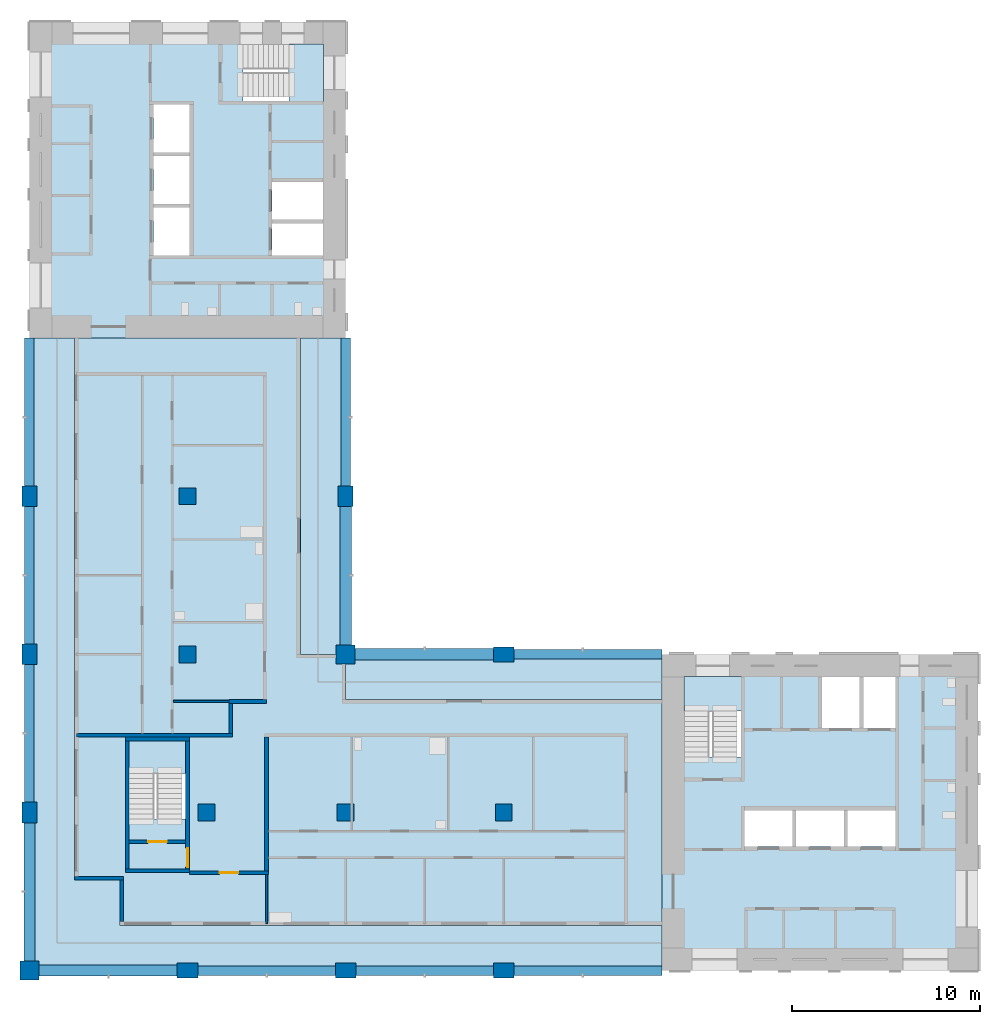
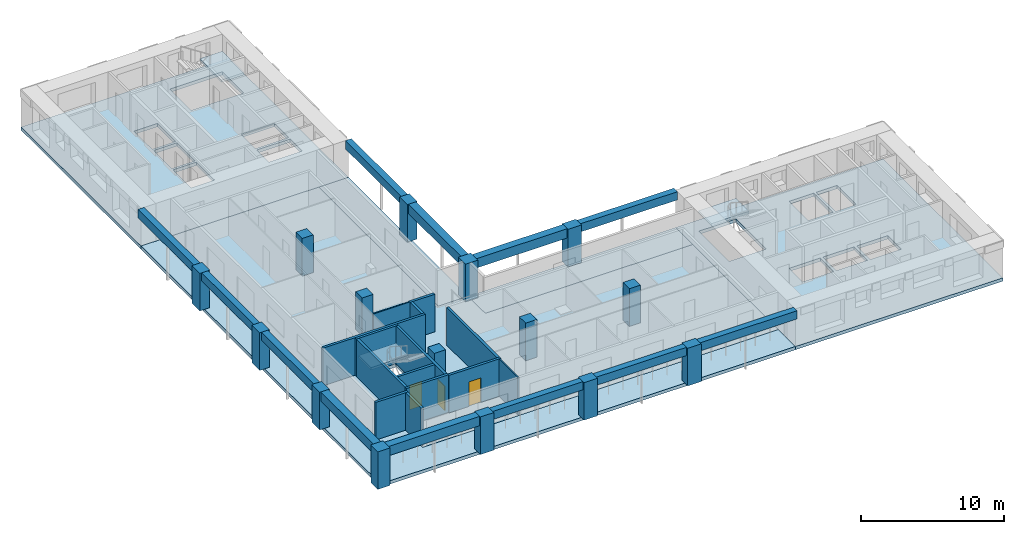
# One storey, part 1 of 9: 15 columns, 14 walls, 12 beams, 10 slabs, 3 doors, 3 openings, 3 elements without a shape of their own.
"""IFC4 building model written with IfcOpenShell, lengths in metres."""

from ifc_helpers import new_model, si_unit, direction, frame, frame_2d, origin, origin_2d, place, context, subcontext, project, spatial, polyline, rectangle, outline, extrude, material, layer, layer_set, material_profile, profile_set, type_object, element, fill, aggregate, save


model = new_model("IFC4")

# Units and contexts
model_context = context("Model", 3, precision=1e-05, world=origin(), true_north=direction((0.0, 1.0)))
body_context = subcontext(model_context, "Body", "Model", "MODEL_VIEW")
ifc_project = project(units=[si_unit("LENGTHUNIT", "METRE"), si_unit("AREAUNIT", "SQUARE_METRE"), si_unit("VOLUMEUNIT", "CUBIC_METRE"), si_unit("PLANEANGLEUNIT", "RADIAN"), si_unit("MASSUNIT", "GRAM", prefix="KILO")], contexts=[model_context])

# Site, building, storey
site_placement = place(None, origin())
site = spatial("IfcSite", under=ifc_project, at=site_placement, CompositionType="ELEMENT")
building_placement = place(site_placement, origin())
building = spatial("IfcBuilding", under=site, at=building_placement, Name="Vermilion Gate Residences", CompositionType="ELEMENT")
storey_placement = place(building_placement, frame((0.0, 0.0, 224.699951171875)))
storey = spatial("IfcBuildingStorey", under=building, at=storey_placement, Name="L58", CompositionType="ELEMENT", Elevation=224.699951171875)

# Columns
ifc_material_1 = material(Name="Concrete C50", Category="concrete")
ifc_material_profile_1 = material_profile(ifc_material_1, rectangle(XDim=1.0, YDim=1.0, at=origin_2d()), Name="RC-1000x1000")
ifc_profile_set_1 = profile_set([ifc_material_profile_1], Name="Concrete C50")
column_type_1 = type_object("IfcColumnType", Name="RC COLUMN 1000 X 1000 C50", PredefinedType="COLUMN", material=ifc_profile_set_1)
for number, where, z_axis, x_axis, name in (
    (1, (8.39990234375, 8.39990234375, 0.0), (0.0, 0.0, 1.0), (1.0, 0.0, 0.0), "Column 2-B L58"),
    (2, (25.199951171875, 25.199951171875, 0.0), (0.0, 0.0, 1.0), (1.0, 0.0, 0.0), "Column 4-D L58"),
):
    element("IfcColumn", number, at=place(storey_placement, frame(where, z_axis=z_axis, x_axis=x_axis)), inside=storey, type_object=column_type_1, Name=name, PredefinedType="COLUMN", context=body_context, shape_type="SweptSolid", body=[
        extrude(rectangle(XDim=1.0, YDim=1.0, at=origin_2d()), origin(), (0.0, 0.0, 1.0), 3.219970703125),
    ])
ifc_material_2 = material(Name="Concrete C50", Category="concrete")
ifc_material_profile_2 = material_profile(ifc_material_2, rectangle(XDim=1.10009765625, YDim=0.800048828125, at=origin_2d()), Name="RC-1100x800")
ifc_profile_set_2 = profile_set([ifc_material_profile_2], Name="Concrete C50")
column_type_2 = type_object("IfcColumnType", Name="RC COLUMN 1100 X 800 C50", PredefinedType="COLUMN", material=ifc_profile_set_2)
for number, where, z_axis, x_axis, name in (
    (3, (8.39990234375, 16.800048828125, 0.0), (0.0, 0.0, 1.0), (0.0, 1.0, 0.0), "Column 2-C L58"),
    (4, (8.39990234375, 25.199951171875, 0.0), (0.0, 0.0, 1.0), (0.0, 1.0, 0.0), "Column 2-D L58"),
    (5, (8.39990234375, 33.60009765625, 0.0), (0.0, 0.0, 1.0), (0.0, 1.0, 0.0), "Column 2-E L58"),
    (6, (16.800048828125, 8.39990234375, 0.0), (0.0, 0.0, 1.0), (1.0, 0.0, 0.0), "Column 3-B L58"),
    (7, (25.199951171875, 8.39990234375, 0.0), (0.0, 0.0, 1.0), (1.0, 0.0, 0.0), "Column 4-B L58"),
    (8, (25.199951171875, 33.60009765625, 0.0), (0.0, 0.0, 1.0), (0.0, 1.0, 0.0), "Column 4-E L58"),
    (9, (33.60009765625, 8.39990234375, 0.0), (0.0, 0.0, 1.0), (1.0, 0.0, 0.0), "Column 5-B L58"),
    (10, (33.60009765625, 25.199951171875, 0.0), (0.0, 0.0, 1.0), (1.0, 0.0, 0.0), "Column 5-D L58"),
):
    element("IfcColumn", number, at=place(storey_placement, frame(where, z_axis=z_axis, x_axis=x_axis)), inside=storey, type_object=column_type_2, Name=name, PredefinedType="COLUMN", context=body_context, shape_type="SweptSolid", body=[
        extrude(rectangle(XDim=1.10009765625, YDim=0.800048828125, at=origin_2d()), origin(), (0.0, 0.0, 1.0), 3.219970703125),
    ])
ifc_material_3 = material(Name="Concrete C50", Category="concrete")
ifc_material_profile_3 = material_profile(ifc_material_3, rectangle(XDim=0.89990234375, YDim=0.89990234375, at=origin_2d()), Name="RC-900x900")
ifc_profile_set_3 = profile_set([ifc_material_profile_3], Name="Concrete C50")
column_type_3 = type_object("IfcColumnType", Name="RC COLUMN 900 X 900 C50", PredefinedType="COLUMN", material=ifc_profile_set_3)
for number, where, z_axis, x_axis, name in (
    (11, (17.800048828125, 16.800048828125, 0.0), (0.0, 0.0, 1.0), (1.0, 0.0, 0.0), "Column 3-C L58"),
    (12, (16.800048828125, 25.199951171875, 0.0), (0.0, 0.0, 1.0), (1.0, 0.0, 0.0), "Column 3-D L58"),
    (13, (16.800048828125, 33.60009765625, 0.0), (0.0, 0.0, 1.0), (1.0, 0.0, 0.0), "Column 3-E L58"),
    (14, (25.199951171875, 16.800048828125, 0.0), (0.0, 0.0, 1.0), (1.0, 0.0, 0.0), "Column 4-C L58"),
    (15, (33.60009765625, 16.800048828125, 0.0), (0.0, 0.0, 1.0), (1.0, 0.0, 0.0), "Column 5-C L58"),
):
    element("IfcColumn", number, at=place(storey_placement, frame(where, z_axis=z_axis, x_axis=x_axis)), inside=storey, type_object=column_type_3, Name=name, PredefinedType="COLUMN", context=body_context, shape_type="SweptSolid", body=[
        extrude(rectangle(XDim=0.89990234375, YDim=0.89990234375, at=origin_2d()), origin(), (0.0, 0.0, 1.0), 3.219970703125),
    ])

# Beams
ifc_material_4 = material(Name="Concrete C60 red-oxide pigmented", Category="concrete")
ifc_material_profile_4 = material_profile(ifc_material_4, rectangle(XDim=0.60009765625, YDim=0.800048828125, at=origin_2d()), Name="RC-600x800")
ifc_profile_set_4 = profile_set([ifc_material_profile_4], Name="Concrete C60 red-oxide pigmented")
beam_type_1 = type_object("IfcBeamType", Name="RC CORNER EDGE BEAM 600 X 800 C60", PredefinedType="BEAM", material=ifc_profile_set_4)
for number, where, z_axis, x_axis, name in (
    (16, (8.89990234375, 8.39990234375, 2.820068359375), (1.0, 0.0, 0.0), (0.0, 1.0, 0.0), "Corner edge beam L58 1"),
    (17, (8.39990234375, 8.89990234375, 2.820068359375), (0.0, 1.0, 0.0), (-1.0, 0.0, 0.0), "Corner edge beam L58 2"),
    (18, (25.199951171875, 25.699951171875, 2.820068359375), (0.0, 1.0, 0.0), (-1.0, 0.0, 0.0), "Corner edge beam L58 7"),
    (19, (25.699951171875, 25.199951171875, 2.820068359375), (1.0, 0.0, 0.0), (0.0, 1.0, 0.0), "Corner edge beam L58 10"),
):
    element("IfcBeam", number, at=place(storey_placement, frame(where, z_axis=z_axis, x_axis=x_axis)), inside=storey, type_object=beam_type_1, Name=name, PredefinedType="BEAM", context=body_context, shape_type="SweptSolid", body=[
        extrude(rectangle(XDim=0.60009765625, YDim=0.800048828125, at=origin_2d()), origin(), (0.0, 0.0, 1.0), 7.35009765625),
    ])
ifc_material_5 = material(Name="Concrete C60 red-oxide pigmented", Category="concrete")
ifc_material_profile_5 = material_profile(ifc_material_5, rectangle(XDim=0.5, YDim=0.699951171875, at=origin_2d()), Name="RC-500x700")
ifc_profile_set_5 = profile_set([ifc_material_profile_5], Name="Concrete C60 red-oxide pigmented")
beam_type_2 = type_object("IfcBeamType", Name="RC EDGE BEAM 500 X 700 C60", PredefinedType="BEAM", material=ifc_profile_set_5)
beam_1_placement = place(storey_placement, frame((8.39990234375, 17.35009765625, 2.8701171875), z_axis=(0.0, 1.0, 0.0), x_axis=(-1.0, 0.0, 0.0)))
element("IfcBeam", 20, at=beam_1_placement, inside=storey, type_object=beam_type_2, Name="Edge beam L58 3", PredefinedType="BEAM", context=body_context, shape_type="SweptSolid", body=[
    extrude(rectangle(XDim=0.5, YDim=0.699951171875, at=origin_2d()), origin(), (0.0, 0.0, 1.0), 7.2998046875),
])
beam_2_placement = place(storey_placement, frame((8.39990234375, 25.75, 2.8701171875), z_axis=(0.0, 1.0, 0.0), x_axis=(-1.0, 0.0, 0.0)))
element("IfcBeam", 21, at=beam_2_placement, inside=storey, type_object=beam_type_2, Name="Edge beam L58 4", PredefinedType="BEAM", context=body_context, shape_type="SweptSolid", body=[
    extrude(rectangle(XDim=0.5, YDim=0.699951171875, at=origin_2d()), origin(), (0.0, 0.0, 1.0), 7.300048828125),
])
beam_3_placement = place(storey_placement, frame((8.39990234375, 34.14990234375, 2.8701171875), z_axis=(0.0, 1.0, 0.0), x_axis=(-1.0, 0.0, 0.0)))
element("IfcBeam", 22, at=beam_3_placement, inside=storey, type_object=beam_type_2, Name="Edge beam L58 5", PredefinedType="BEAM", context=body_context, shape_type="SweptSolid", body=[
    extrude(rectangle(XDim=0.5, YDim=0.699951171875, at=origin_2d()), origin(), (0.0, 0.0, 1.0), 7.85009765625),
])
beam_4_placement = place(storey_placement, frame((17.35009765625, 8.39990234375, 2.8701171875), z_axis=(1.0, 0.0, 0.0), x_axis=(0.0, 1.0, 0.0)))
element("IfcBeam", 23, at=beam_4_placement, inside=storey, type_object=beam_type_2, Name="Edge beam L58 6", PredefinedType="BEAM", context=body_context, shape_type="SweptSolid", body=[
    extrude(rectangle(XDim=0.5, YDim=0.699951171875, at=origin_2d()), origin(), (0.0, 0.0, 1.0), 7.2998046875),
])
beam_5_placement = place(storey_placement, frame((25.199951171875, 34.14990234375, 2.8701171875), z_axis=(0.0, 1.0, 0.0), x_axis=(-1.0, 0.0, 0.0)))
element("IfcBeam", 24, at=beam_5_placement, inside=storey, type_object=beam_type_2, Name="Edge beam L58 8", PredefinedType="BEAM", context=body_context, shape_type="SweptSolid", body=[
    extrude(rectangle(XDim=0.5, YDim=0.699951171875, at=origin_2d()), origin(), (0.0, 0.0, 1.0), 7.85009765625),
])
beam_6_placement = place(storey_placement, frame((25.75, 8.39990234375, 2.8701171875), z_axis=(1.0, 0.0, 0.0), x_axis=(0.0, 1.0, 0.0)))
element("IfcBeam", 25, at=beam_6_placement, inside=storey, type_object=beam_type_2, Name="Edge beam L58 9", PredefinedType="BEAM", context=body_context, shape_type="SweptSolid", body=[
    extrude(rectangle(XDim=0.5, YDim=0.699951171875, at=origin_2d()), origin(), (0.0, 0.0, 1.0), 7.300048828125),
])
for number, where, z_axis, x_axis, name in (
    (26, (34.14990234375, 8.39990234375, 2.8701171875), (1.0, 0.0, 0.0), (0.0, 1.0, 0.0), "Edge beam L58 11"),
    (27, (34.14990234375, 25.199951171875, 2.8701171875), (1.0, 0.0, 0.0), (0.0, 1.0, 0.0), "Edge beam L58 12"),
):
    element("IfcBeam", number, at=place(storey_placement, frame(where, z_axis=z_axis, x_axis=x_axis)), inside=storey, type_object=beam_type_2, Name=name, PredefinedType="BEAM", context=body_context, shape_type="SweptSolid", body=[
        extrude(rectangle(XDim=0.5, YDim=0.699951171875, at=origin_2d()), origin(), (0.0, 0.0, 1.0), 7.85009765625),
    ])

# Slabs
ifc_material_6 = material(Name="Concrete C50", Category="concrete")
ifc_layer_1 = layer(ifc_material_6, 0.280029296875)
ifc_layer_set_1 = layer_set([ifc_layer_1], Name="RC CORE FLOOR SLAB 280 C50")
slab_type_1 = type_object("IfcSlabType", Name="RC CORE FLOOR SLAB 280 C50", PredefinedType="FLOOR", material=ifc_layer_set_1)
slab_1_placement = place(storey_placement, frame((0.0, 0.0, -0.280029296875)))
element("IfcSlab", 28, at=slab_1_placement, inside=storey, type_object=slab_type_1, Name="Core floor slab A58", PredefinedType="FLOOR", context=body_context, shape_type="SweptSolid", body=[
    extrude(outline(polyline([(42.0, 8.39990234375), (58.800048828125, 8.39990234375), (58.800048828125, 25.199951171875), (42.0, 25.199951171875), (42.0, 8.39990234375)]), holes=[polyline([(46.39990234375, 15.0), (46.39990234375, 16.89990234375), (48.933349609375, 16.89990234375), (48.933349609375, 15.0), (46.39990234375, 15.0)]), polyline([(49.13330078125, 16.89990234375), (51.666748046875, 16.89990234375), (51.666748046875, 15.0), (49.13330078125, 15.0), (49.13330078125, 16.89990234375)]), polyline([(51.86669921875, 16.89990234375), (54.39990234375, 16.89990234375), (54.39990234375, 15.0), (51.86669921875, 15.0), (51.86669921875, 16.89990234375)]), polyline([(43.199951171875, 19.75), (43.199951171875, 24.0), (46.199951171875, 24.0), (46.199951171875, 19.75), (43.199951171875, 19.75)]), polyline([(50.5, 24.0), (52.5, 24.0), (52.5, 21.300048828125), (50.5, 21.300048828125), (50.5, 24.0)]), polyline([(52.699951171875, 24.0), (54.39990234375, 24.0), (54.39990234375, 21.300048828125), (52.699951171875, 21.300048828125), (52.699951171875, 24.0)])]), origin(), (0.0, 0.0, 1.0), 0.280029296875),
])
slab_2_placement = place(storey_placement, frame((0.0, 0.0, -0.280029296875)))
element("IfcSlab", 29, at=slab_2_placement, inside=storey, type_object=slab_type_1, Name="Core floor slab B58", PredefinedType="FLOOR", context=body_context, shape_type="SweptSolid", body=[
    extrude(outline(polyline([(8.39990234375, 42.0), (25.199951171875, 42.0), (25.199951171875, 58.800048828125), (8.39990234375, 58.800048828125), (8.39990234375, 42.0)]), holes=[polyline([(21.300048828125, 46.39990234375), (21.300048828125, 48.10009765625), (24.0, 48.10009765625), (24.0, 46.39990234375), (21.300048828125, 46.39990234375)]), polyline([(15.0, 48.933349609375), (16.89990234375, 48.933349609375), (16.89990234375, 46.39990234375), (15.0, 46.39990234375), (15.0, 48.933349609375)]), polyline([(21.300048828125, 50.300048828125), (24.0, 50.300048828125), (24.0, 48.300048828125), (21.300048828125, 48.300048828125), (21.300048828125, 50.300048828125)]), polyline([(15.0, 49.13330078125), (15.0, 51.666748046875), (16.89990234375, 51.666748046875), (16.89990234375, 49.13330078125), (15.0, 49.13330078125)]), polyline([(15.0, 54.39990234375), (16.89990234375, 54.39990234375), (16.89990234375, 51.86669921875), (15.0, 51.86669921875), (15.0, 54.39990234375)]), polyline([(19.75, 57.60009765625), (24.0, 57.60009765625), (24.0, 54.60009765625), (19.75, 54.60009765625), (19.75, 57.60009765625)])]), origin(), (0.0, 0.0, 1.0), 0.280029296875),
])
slab_3_placement = place(storey_placement, frame((0.0, 0.0, -0.280029296875)))
element("IfcSlab", 30, at=slab_3_placement, inside=storey, type_object=slab_type_1, Name="Apex stair floor slab 58", PredefinedType="FLOOR", context=body_context, shape_type="SweptSolid", body=[
    extrude(outline(polyline([(13.5, 13.60009765625), (16.89990234375, 13.60009765625), (16.89990234375, 20.800048828125), (13.5, 20.800048828125), (13.5, 13.60009765625)]), holes=[polyline([(16.699951171875, 20.60009765625), (16.699951171875, 16.449951171875), (13.699951171875, 16.449951171875), (13.699951171875, 20.60009765625), (16.699951171875, 20.60009765625)])]), origin(), (0.0, 0.0, 1.0), 0.280029296875),
])
ifc_material_7 = material(Name="Concrete C50", Category="concrete")
ifc_layer_2 = layer(ifc_material_7, 0.280029296875)
ifc_layer_set_2 = layer_set([ifc_layer_2], Name="RC FLAT PLATE 280 C50")
slab_type_2 = type_object("IfcSlabType", Name="RC FLAT PLATE 280 C50", PredefinedType="FLOOR", material=ifc_layer_set_2)
slab_4_placement = place(storey_placement, frame((0.0, 0.0, -0.280029296875)))
element("IfcSlab", 31, at=slab_4_placement, inside=storey, type_object=slab_type_2, Name="Floor slab L58", PredefinedType="FLOOR", context=body_context, shape_type="SweptSolid", body=[
    extrude(outline(polyline([(22.800048828125, 25.199951171875), (22.800048828125, 42.0), (10.800048828125, 42.0), (10.800048828125, 13.199951171875), (13.199951171875, 13.199951171875), (13.199951171875, 10.800048828125), (42.0, 10.800048828125), (42.0, 22.800048828125), (25.199951171875, 22.800048828125), (25.199951171875, 25.199951171875), (22.800048828125, 25.199951171875)]), holes=[polyline([(13.5, 13.60009765625), (13.5, 20.800048828125), (16.89990234375, 20.800048828125), (16.89990234375, 13.60009765625), (13.5, 13.60009765625)])]), origin(), (0.0, 0.0, 1.0), 0.280029296875),
])
ifc_material_8 = material(Name="Concrete C50 red-oxide pigmented", Category="concrete")
ifc_layer_3 = layer(ifc_material_8, 0.280029296875)
ifc_layer_set_3 = layer_set([ifc_layer_3], Name="RC LOGGIA SLAB 280 C50")
slab_type_3 = type_object("IfcSlabType", Name="RC LOGGIA SLAB 280 C50", PredefinedType="FLOOR", material=ifc_layer_set_3)
slab_5_placement = place(storey_placement, frame((0.0, 0.0, -0.280029296875)))
element("IfcSlab", 32, at=slab_5_placement, inside=storey, type_object=slab_type_3, Name="Loggia slab L58", PredefinedType="FLOOR", context=body_context, shape_type="SweptSolid", body=[
    extrude(outline(polyline([(8.39990234375, 8.39990234375), (42.0, 8.39990234375), (42.0, 10.800048828125), (13.199951171875, 10.800048828125), (13.199951171875, 13.199951171875), (10.800048828125, 13.199951171875), (10.800048828125, 42.0), (8.39990234375, 42.0), (8.39990234375, 8.39990234375)])), origin(), (0.0, 0.0, 1.0), 0.280029296875),
])
slab_6_placement = place(storey_placement, frame((0.0, 0.0, -0.280029296875)))
element("IfcSlab", 33, at=slab_6_placement, inside=storey, type_object=slab_type_3, Name="Loggia slab L58", PredefinedType="FLOOR", context=body_context, shape_type="SweptSolid", body=[
    extrude(outline(polyline([(25.199951171875, 22.800048828125), (42.0, 22.800048828125), (42.0, 25.199951171875), (25.199951171875, 25.199951171875), (25.199951171875, 22.800048828125)])), origin(), (0.0, 0.0, 1.0), 0.280029296875),
])
slab_7_placement = place(storey_placement, frame((0.0, 0.0, -0.280029296875)))
element("IfcSlab", 34, at=slab_7_placement, inside=storey, type_object=slab_type_3, Name="Loggia slab L58", PredefinedType="FLOOR", context=body_context, shape_type="SweptSolid", body=[
    extrude(outline(polyline([(25.199951171875, 42.0), (22.800048828125, 42.0), (22.800048828125, 25.199951171875), (25.199951171875, 25.199951171875), (25.199951171875, 42.0)])), origin(), (0.0, 0.0, 1.0), 0.280029296875),
])

# Stair, slab
ifc_material_9 = material(Name="Concrete C50", Category="concrete")
stair_type = type_object("IfcStairType", Name="SPECIAL ESCAPE STAIR 1300", PredefinedType="HALF_TURN_STAIR", material=ifc_material_9)
stair_1_placement = place(storey_placement, origin())
stair_1 = element("IfcStair", 35, at=stair_1_placement, inside=storey, type_object=stair_type, Name="Special escape stair STA1-58", PredefinedType="HALF_TURN_STAIR")
ifc_material_10 = material(Name="Concrete C50", Category="concrete")
ifc_layer_4 = layer(ifc_material_10, 0.199951171875)
ifc_layer_set_4 = layer_set([ifc_layer_4], Name="STAIR LANDING 200 C50")
slab_type_4 = type_object("IfcSlabType", Name="STAIR LANDING 200 C50", PredefinedType="LANDING", material=ifc_layer_set_4)
slab_8_placement = place(storey_placement, frame((0.0, 0.0, 1.550048828125)))
slab_8 = element("IfcSlab", 36, at=slab_8_placement, type_object=slab_type_4, Name="STA1-58 landing 1", PredefinedType="LANDING", context=body_context, shape_type="SweptSolid", body=[
    extrude(outline(polyline([(46.219970703125, 22.179931640625), (46.219970703125, 24.02001953125), (43.179931640625, 24.02001953125), (43.179931640625, 22.179931640625), (46.219970703125, 22.179931640625)])), origin(), (0.0, 0.0, 1.0), 0.199951171875),
])
aggregate(stair_1, [slab_8])

stair_2_placement = place(storey_placement, origin())
stair_2 = element("IfcStair", 37, at=stair_2_placement, inside=storey, type_object=stair_type, Name="Special escape stair STB1-58", PredefinedType="HALF_TURN_STAIR")
slab_9_placement = place(storey_placement, frame((0.0, 0.0, 1.550048828125)))
slab_9 = element("IfcSlab", 38, at=slab_9_placement, type_object=slab_type_4, Name="STB1-58 landing 1", PredefinedType="LANDING", context=body_context, shape_type="SweptSolid", body=[
    extrude(outline(polyline([(24.02001953125, 54.580078125), (24.02001953125, 57.6201171875), (22.179931640625, 57.6201171875), (22.179931640625, 54.580078125), (24.02001953125, 54.580078125)])), origin(), (0.0, 0.0, 1.0), 0.199951171875),
])
aggregate(stair_2, [slab_9])

stair_3_placement = place(storey_placement, origin())
stair_3 = element("IfcStair", 39, at=stair_3_placement, inside=storey, type_object=stair_type, Name="Special escape stair STC1-58", PredefinedType="HALF_TURN_STAIR")
slab_10_placement = place(storey_placement, frame((0.0, 0.0, 1.550048828125)))
slab_10 = element("IfcSlab", 40, at=slab_10_placement, type_object=slab_type_4, Name="STC1-58 landing 1", PredefinedType="LANDING", context=body_context, shape_type="SweptSolid", body=[
    extrude(outline(polyline([(16.719970703125, 18.8798828125), (16.719970703125, 20.6201171875), (13.679931640625, 20.6201171875), (13.679931640625, 18.8798828125), (16.719970703125, 18.8798828125)])), origin(), (0.0, 0.0, 1.0), 0.199951171875),
])
aggregate(stair_3, [slab_10])

# Walls
ifc_material_11 = material(Name="Insulated steel stud wall with terracotta rainscreen", Category="masonry")
ifc_layer_5 = layer(ifc_material_11, 0.199951171875)
ifc_layer_set_5 = layer_set([ifc_layer_5], Name="EXTERNAL WALL 200 TERRACOTTA RAINSCREEN")
wall_type_1 = type_object("IfcWallType", Name="EXTERNAL WALL 200 TERRACOTTA RAINSCREEN", PredefinedType="SOLIDWALL", material=ifc_layer_set_5)
wall_1_placement = place(storey_placement, frame((10.800048828125, 13.300048828125, 0.0), z_axis=(0.0, 0.0, 1.0), x_axis=(1.0, 0.0, 0.0)))
element("IfcWall", 41, at=wall_1_placement, inside=storey, type_object=wall_type_1, Name="External wall", PredefinedType="SOLIDWALL", context=body_context, shape_type="SweptSolid", body=[
    extrude(rectangle(XDim=2.599853515625, YDim=0.199951171875, at=frame_2d((1.2998046875, 0.0))), origin(), (0.0, 0.0, 1.0), 3.219970703125),
])
wall_2_placement = place(storey_placement, frame((13.300048828125, 13.199951171875, 0.0), z_axis=(0.0, 0.0, 1.0), x_axis=(0.0, -1.0, 0.0)))
element("IfcWall", 42, at=wall_2_placement, inside=storey, type_object=wall_type_1, Name="External wall", PredefinedType="SOLIDWALL", context=body_context, shape_type="SweptSolid", body=[
    extrude(rectangle(XDim=2.199951171875, YDim=0.199951171875, at=frame_2d((1.10009765625, 0.0))), origin(), (0.0, 0.0, 1.0), 3.219970703125),
])
ifc_material_12 = material(Name="Plasterboard on steel studs", Category="steel")
ifc_layer_6 = layer(ifc_material_12, 0.10009765625)
ifc_layer_set_6 = layer_set([ifc_layer_6], Name="PARTITION 100")
wall_type_2 = type_object("IfcWallType", Name="PARTITION 100", PredefinedType="PARTITIONING", material=ifc_layer_set_6)
wall_3_placement = place(storey_placement, frame((16.050048828125, 22.699951171875, 0.0), z_axis=(0.0, 0.0, 1.0), x_axis=(1.0, 0.0, 0.0)))
element("IfcWall", 43, at=wall_3_placement, inside=storey, type_object=wall_type_2, Name="Partition", PredefinedType="PARTITIONING", context=body_context, shape_type="SweptSolid", body=[
    extrude(rectangle(XDim=2.949951171875, YDim=0.10009765625, at=frame_2d((1.47509765625, 0.0))), origin(), (0.0, 0.0, 1.0), 3.219970703125),
])
wall_4_placement = place(storey_placement, frame((21.0, 10.89990234375, 0.0), z_axis=(0.0, 0.0, 1.0), x_axis=(0.0, 1.0, 0.0)))
element("IfcWall", 44, at=wall_4_placement, inside=storey, type_object=wall_type_2, Name="Partition", PredefinedType="PARTITIONING", context=body_context, shape_type="SweptSolid", body=[
    extrude(rectangle(XDim=2.60009765625, YDim=0.10009765625, at=frame_2d((1.300048828125, 0.0))), origin(), (0.0, 0.0, 1.0), 3.219970703125),
])

# Wall, opening, door
ifc_material_13 = material(Name="Fire-rated plasterboard on steel studs", Category="steel")
ifc_layer_7 = layer(ifc_material_13, 0.199951171875)
ifc_layer_set_7 = layer_set([ifc_layer_7], Name="PARTY WALL 200 EI 120")
wall_type_3 = type_object("IfcWallType", Name="PARTY WALL 200 EI 120", PredefinedType="PARTITIONING", material=ifc_layer_set_7)
wall_5_placement = place(storey_placement, frame((16.89990234375, 13.60009765625, 0.0), z_axis=(0.0, 0.0, 1.0), x_axis=(1.0, 0.0, 0.0)))
wall_5 = element("IfcWall", 45, at=wall_5_placement, inside=storey, type_object=wall_type_3, Name="Party and corridor wall", PredefinedType="PARTITIONING", context=body_context, shape_type="SweptSolid", body=[
    extrude(rectangle(XDim=4.2001953125, YDim=0.199951171875, at=frame_2d((2.10009765625, 0.0))), origin(), (0.0, 0.0, 1.0), 3.219970703125),
])
opening_1_placement = place(wall_5_placement, frame((1.60009765625, 0.0, 0.0)))
opening_1 = element("IfcOpeningElement", 46, at=opening_1_placement, cuts=wall_5, Name="Opening DA58001", PredefinedType="OPENING", context=body_context, shape_type="SweptSolid", body=[
    extrude(rectangle(XDim=1.0, YDim=2.10009765625, at=frame_2d((0.5, 1.050048828125))), frame((0.0, 0.10986328125, 0.0), z_axis=(0.0, -1.0, 0.0), x_axis=(1.0, 0.0, 0.0)), (0.0, 0.0, 1.0), 0.219970703125),
])
ifc_material_14 = material(Name="Steel", Category="steel")
door_type_1 = type_object("IfcDoorType", Name="ENTRANCE DOOR 1000 X 2100 FD30", OperationType="SINGLE_SWING_LEFT", PredefinedType="DOOR", material=ifc_material_14)
door_1_placement = place(opening_1_placement, frame((1.0, 0.0, 0.0), z_axis=(0.0, 0.0, 1.0), x_axis=(-1.0, 0.0, 0.0)))
door_1 = element("IfcDoor", 47, at=door_1_placement, inside=storey, type_object=door_type_1, Name="Entrance door", OperationType="SINGLE_SWING_LEFT", OverallHeight=2.10009765625, OverallWidth=1.0, PredefinedType="DOOR", context=body_context, shape_type="SweptSolid", body=[
    extrude(rectangle(XDim=1.0, YDim=2.10009765625, at=frame_2d((0.5, 1.050048828125))), frame((0.0, 0.02490234375, 0.0), z_axis=(0.0, -1.0, 0.0), x_axis=(1.0, 0.0, 0.0)), (0.0, 0.0, 1.0), 0.050048828125),
])
fill(opening_1, door_1)

# Walls
wall_6_placement = place(storey_placement, frame((10.89990234375, 20.89990234375, 0.0), z_axis=(0.0, 0.0, 1.0), x_axis=(1.0, 0.0, 0.0)))
element("IfcWall", 48, at=wall_6_placement, inside=storey, type_object=wall_type_3, Name="Party and corridor wall", PredefinedType="PARTITIONING", context=body_context, shape_type="SweptSolid", body=[
    extrude(rectangle(XDim=8.300048828125, YDim=0.199951171875, at=frame_2d((4.14990234375, 0.0))), origin(), (0.0, 0.0, 1.0), 3.219970703125),
])
wall_7_placement = place(storey_placement, frame((19.0, 22.699951171875, 0.0), z_axis=(0.0, 0.0, 1.0), x_axis=(1.0, 0.0, 0.0)))
element("IfcWall", 49, at=wall_7_placement, inside=storey, type_object=wall_type_3, Name="Party and corridor wall", PredefinedType="PARTITIONING", context=body_context, shape_type="SweptSolid", body=[
    extrude(rectangle(XDim=2.0, YDim=0.199951171875, at=frame_2d((1.0, 0.0))), origin(), (0.0, 0.0, 1.0), 3.219970703125),
])
wall_8_placement = place(storey_placement, frame((19.10009765625, 21.0, 0.0), z_axis=(0.0, 0.0, 1.0), x_axis=(0.0, 1.0, 0.0)))
element("IfcWall", 50, at=wall_8_placement, inside=storey, type_object=wall_type_3, Name="Party and corridor wall", PredefinedType="PARTITIONING", context=body_context, shape_type="SweptSolid", body=[
    extrude(rectangle(XDim=1.60009765625, YDim=0.199951171875, at=frame_2d((0.800048828125, 0.0))), origin(), (0.0, 0.0, 1.0), 3.219970703125),
])
wall_9_placement = place(storey_placement, frame((21.0, 13.699951171875, 0.0), z_axis=(0.0, 0.0, 1.0), x_axis=(0.0, 1.0, 0.0)))
element("IfcWall", 51, at=wall_9_placement, inside=storey, type_object=wall_type_3, Name="Party and corridor wall", PredefinedType="PARTITIONING", context=body_context, shape_type="SweptSolid", body=[
    extrude(rectangle(XDim=7.10009765625, YDim=0.199951171875, at=frame_2d((3.550048828125, 0.0))), origin(), (0.0, 0.0, 1.0), 3.219970703125),
])
ifc_material_15 = material(Name="Concrete C60", Category="concrete")
ifc_layer_8 = layer(ifc_material_15, 0.199951171875)
ifc_layer_set_8 = layer_set([ifc_layer_8], Name="RC CORE INTERNAL WALL 200 C60")
wall_type_4 = type_object("IfcWallType", Name="RC CORE INTERNAL WALL 200 C60", PredefinedType="SHEAR", material=ifc_layer_set_8)
wall_10_placement = place(storey_placement, frame((13.60009765625, 13.800048828125, 0.0), z_axis=(0.0, 0.0, 1.0), x_axis=(0.0, 1.0, 0.0)))
element("IfcWall", 52, at=wall_10_placement, inside=storey, type_object=wall_type_4, Name="Core internal wall C58-W", PredefinedType="SHEAR", context=body_context, shape_type="SweptSolid", body=[
    extrude(rectangle(XDim=6.800048828125, YDim=0.199951171875, at=frame_2d((3.39990234375, 0.0))), origin(), (0.0, 0.0, 1.0), 3.219970703125),
])

# Wall, opening, door
wall_11_placement = place(storey_placement, frame((16.800048828125, 13.800048828125, 0.0), z_axis=(0.0, 0.0, 1.0), x_axis=(0.0, 1.0, 0.0)))
wall_11 = element("IfcWall", 53, at=wall_11_placement, inside=storey, type_object=wall_type_4, Name="Core internal wall C58-E", PredefinedType="SHEAR", context=body_context, shape_type="SweptSolid", body=[
    extrude(rectangle(XDim=6.800048828125, YDim=0.199951171875, at=frame_2d((3.39990234375, 0.0))), origin(), (0.0, 0.0, 1.0), 3.219970703125),
])
opening_2_placement = place(wall_11_placement, frame((0.10009765625, 0.0, 0.0)))
opening_2 = element("IfcOpeningElement", 54, at=opening_2_placement, cuts=wall_11, Name="Opening DK58201", PredefinedType="OPENING", context=body_context, shape_type="SweptSolid", body=[
    extrude(rectangle(XDim=1.0, YDim=2.10009765625, at=frame_2d((0.5, 1.050048828125))), frame((0.0, 0.10986328125, 0.0), z_axis=(0.0, -1.0, 0.0), x_axis=(1.0, 0.0, 0.0)), (0.0, 0.0, 1.0), 0.219970703125),
])
ifc_material_16 = material(Name="Steel", Category="steel")
door_type_2 = type_object("IfcDoorType", Name="FIRE DOOR FD60 1000 X 2100", OperationType="SINGLE_SWING_LEFT", PredefinedType="DOOR", material=ifc_material_16)
door_2_placement = place(opening_2_placement, frame((1.0, 0.0, 0.0), z_axis=(0.0, 0.0, 1.0), x_axis=(-1.0, 0.0, 0.0)))
door_2 = element("IfcDoor", 55, at=door_2_placement, inside=storey, type_object=door_type_2, Name="Stair vestibule door C58", OperationType="SINGLE_SWING_RIGHT", OverallHeight=2.10009765625, OverallWidth=1.0, PredefinedType="DOOR", context=body_context, shape_type="SweptSolid", body=[
    extrude(rectangle(XDim=1.0, YDim=2.10009765625, at=frame_2d((0.5, 1.050048828125))), frame((0.0, 0.02490234375, 0.0), z_axis=(0.0, -1.0, 0.0), x_axis=(1.0, 0.0, 0.0)), (0.0, 0.0, 1.0), 0.050048828125),
])
fill(opening_2, door_2)

# Walls
for number, where, z_axis, x_axis, name in (
    (56, (13.5, 13.699951171875, 0.0), (0.0, 0.0, 1.0), (1.0, 0.0, 0.0), "Core internal wall C58-S"),
    (57, (13.5, 20.699951171875, 0.0), (0.0, 0.0, 1.0), (1.0, 0.0, 0.0), "Core internal wall C58-N"),
):
    element("IfcWall", number, at=place(storey_placement, frame(where, z_axis=z_axis, x_axis=x_axis)), inside=storey, type_object=wall_type_4, Name=name, PredefinedType="SHEAR", context=body_context, shape_type="SweptSolid", body=[
        extrude(rectangle(XDim=3.39990234375, YDim=0.199951171875, at=frame_2d((1.699951171875, 0.0))), origin(), (0.0, 0.0, 1.0), 3.219970703125),
    ])

# Wall, opening, door
wall_12_placement = place(storey_placement, frame((13.699951171875, 15.25, 0.0), z_axis=(0.0, 0.0, 1.0), x_axis=(1.0, 0.0, 0.0)))
wall_12 = element("IfcWall", 58, at=wall_12_placement, inside=storey, type_object=wall_type_4, Name="Core internal wall C58-P", PredefinedType="SHEAR", context=body_context, shape_type="SweptSolid", body=[
    extrude(rectangle(XDim=3.0, YDim=0.199951171875, at=frame_2d((1.5, 0.0))), origin(), (0.0, 0.0, 1.0), 3.219970703125),
])
opening_3_placement = place(wall_12_placement, frame((1.0, 0.0, 0.0)))
opening_3 = element("IfcOpeningElement", 59, at=opening_3_placement, cuts=wall_12, Name="Opening DK58202", PredefinedType="OPENING", context=body_context, shape_type="SweptSolid", body=[
    extrude(rectangle(XDim=1.0, YDim=2.10009765625, at=frame_2d((0.5, 1.050048828125))), frame((0.0, 0.10986328125, 0.0), z_axis=(0.0, -1.0, 0.0), x_axis=(1.0, 0.0, 0.0)), (0.0, 0.0, 1.0), 0.219970703125),
])
door_3_placement = place(opening_3_placement, origin())
door_3 = element("IfcDoor", 60, at=door_3_placement, inside=storey, type_object=door_type_2, Name="Stair door C58", OperationType="SINGLE_SWING_LEFT", OverallHeight=2.10009765625, OverallWidth=1.0, PredefinedType="DOOR", context=body_context, shape_type="SweptSolid", body=[
    extrude(rectangle(XDim=1.0, YDim=2.10009765625, at=frame_2d((0.5, 1.050048828125))), frame((0.0, 0.02490234375, 0.0), z_axis=(0.0, -1.0, 0.0), x_axis=(1.0, 0.0, 0.0)), (0.0, 0.0, 1.0), 0.050048828125),
])
fill(opening_3, door_3)

save(model, "model.ifc")
